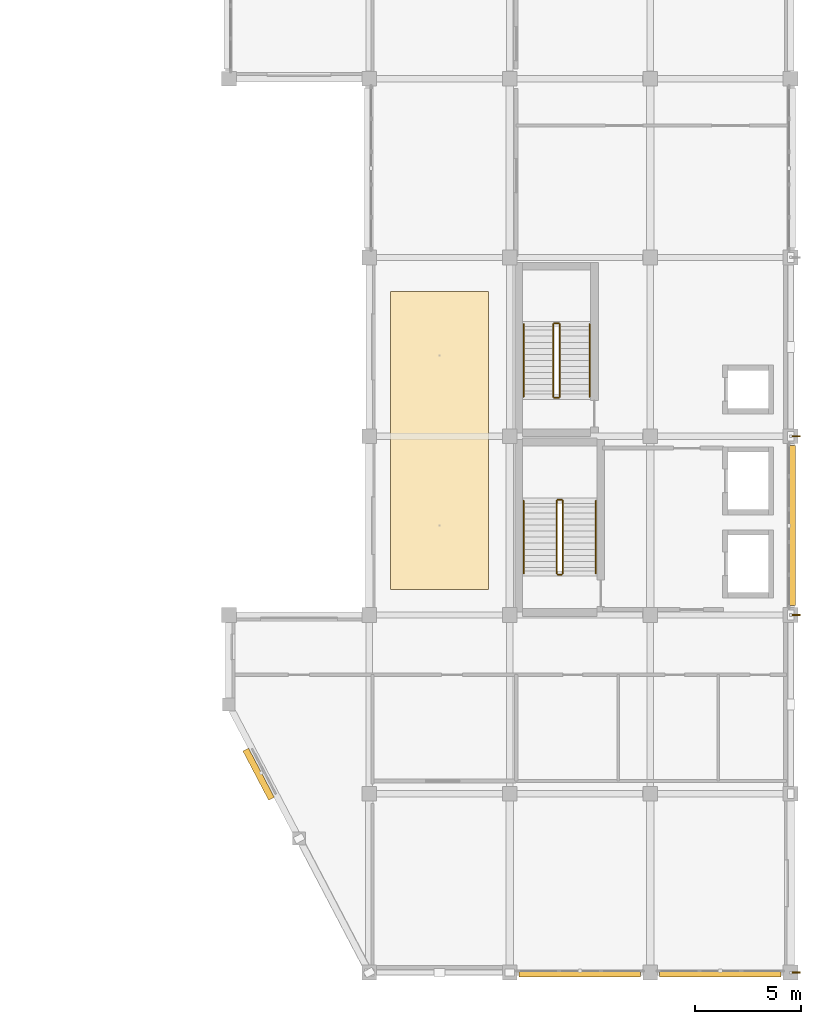
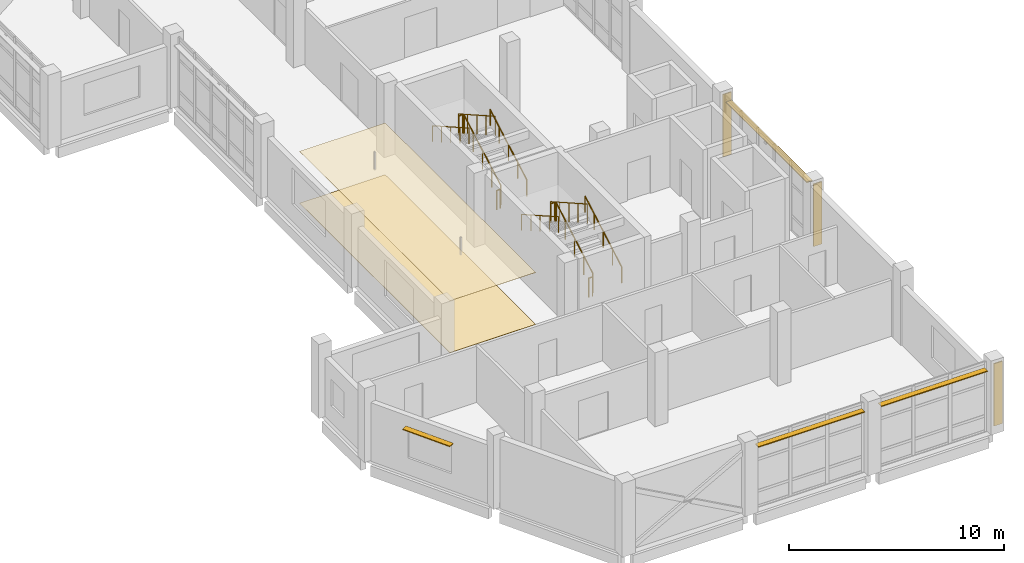
# One storey, part 75 of 78: 12 railings, 7 shading devices, 2 coverings.
"""IFC4 building model written with IfcOpenShell, lengths in metres."""

import ifcopenshell
import ifcopenshell.guid

model = None  # the IFC model being written
_history = None  # IfcOwnerHistory: only IFC2X3 demands one
_inside = {}  # id of a spatial element -> (the spatial element, [elements in it])
_under = {}  # id of a project, library or spatial element -> (it, [spatial elements below it])
_declared = {}  # id of a project -> (the project, [libraries it declares])
_typed = {}  # id of a type object -> (the type object, [elements of that type])
_made_of = {}  # id of a material, layer set ... -> (it, [elements and type objects made of it])


def new_model(schema):
    """Start an empty IFC model of exactly this schema.

    Asked for "IFC4X3", IfcOpenShell would pick the latest addendum, in which some entities
    have other attributes; the version numbers below select the first issue.
    IFC2X3 requires an IfcOwnerHistory on every rooted entity: one is made here for all.
    """
    global model, _history
    if schema == "IFC4X3":
        model = ifcopenshell.file(schema_version=(4, 3, 0, 0))
    else:
        model = ifcopenshell.file(schema=schema)
    _inside.clear()
    _under.clear()
    _declared.clear()
    _typed.clear()
    _made_of.clear()
    _history = None
    if model.schema == "IFC2X3":
        org = make("IfcOrganization", Name="unknown")
        user = make(
            "IfcPersonAndOrganization",
            ThePerson=make("IfcPerson", FamilyName="unknown"),
            TheOrganization=org,
        )
        app = make(
            "IfcApplication",
            ApplicationDeveloper=org,
            Version="unknown",
            ApplicationFullName="unknown",
            ApplicationIdentifier="unknown",
        )
        _history = make(
            "IfcOwnerHistory",
            OwningUser=user,
            OwningApplication=app,
            ChangeAction="ADDED",
            CreationDate=0,
        )
    return model


def make(cls, **values):
    """One entity of the class cls with the attributes given. An attribute that is None is left unset."""
    return model.create_entity(
        cls, **{name: value for name, value in values.items() if value is not None}
    )


def rooted(cls, **values):
    """An entity with a GlobalId (a new one), such as an element, a storey or a relation."""
    return make(cls, GlobalId=ifcopenshell.guid.new(), OwnerHistory=_history, **values)


def si_unit(unit_type, name, prefix=None):
    """IfcSIUnit, for example si_unit("LENGTHUNIT", "METRE", prefix="MILLI")."""
    return make("IfcSIUnit", UnitType=unit_type, Prefix=prefix, Name=name)


def assignment(units):
    """IfcUnitAssignment: the units of a project."""
    return None if units is None else make("IfcUnitAssignment", Units=units)


def point(xyz):
    """IfcCartesianPoint."""
    return None if xyz is None else make("IfcCartesianPoint", Coordinates=xyz)


def direction(xyz):
    """IfcDirection."""
    return None if xyz is None else make("IfcDirection", DirectionRatios=xyz)


def frame(location, z_axis=None, x_axis=None):
    """IfcAxis2Placement3D, a coordinate frame: its origin and axes. An axis left out is left unset."""
    return make(
        "IfcAxis2Placement3D",
        Location=point(location),
        Axis=direction(z_axis),
        RefDirection=direction(x_axis),
    )


def frame_2d(location, x_axis=None):
    """IfcAxis2Placement2D, a coordinate frame in the plane: its origin and x axis."""
    return make(
        "IfcAxis2Placement2D", Location=point(location), RefDirection=direction(x_axis)
    )


def origin():
    """The frame at (0, 0, 0) with its axes left unset."""
    return frame((0.0, 0.0, 0.0))


def origin_2d():
    """The frame at (0, 0) in the plane with its x axis left unset."""
    return frame_2d((0.0, 0.0))


def place(relative_to, where):
    """IfcLocalPlacement: puts the frame where relative to a parent placement (None: the world)."""
    return make(
        "IfcLocalPlacement", PlacementRelTo=relative_to, RelativePlacement=where
    )


def context(
    kind, dimensions, precision=None, world=None, true_north=None, identifier=None
):
    """IfcGeometricRepresentationContext, for example the 3D "Model" context."""
    return make(
        "IfcGeometricRepresentationContext",
        ContextIdentifier=identifier,
        ContextType=kind,
        CoordinateSpaceDimension=dimensions,
        Precision=precision,
        WorldCoordinateSystem=world,
        TrueNorth=true_north,
    )


def subcontext(parent, identifier, kind, view, scale=None):
    """IfcGeometricRepresentationSubContext, for example "Body" below "Model"."""
    return make(
        "IfcGeometricRepresentationSubContext",
        ContextIdentifier=identifier,
        ContextType=kind,
        ParentContext=parent,
        TargetScale=scale,
        TargetView=view,
    )


def project(units=None, contexts=None):
    """IfcProject with its units and contexts."""
    return rooted(
        "IfcProject",
        Name="project",
        RepresentationContexts=contexts,
        UnitsInContext=assignment(units),
    )


def spatial(cls, under=None, at=None, **own):
    """A site, building, storey or space (cls), placed at a placement, below another one or the project."""
    s = rooted(cls, ObjectPlacement=at, **own)
    if under is not None:
        _under.setdefault(under.id(), (under, []))[1].append(s)
    return s


def polyline(points):
    """IfcPolyline through the points."""
    return make("IfcPolyline", Points=[point(p) for p in points])


def profile(cls, at=None, kind="AREA", **sizes):
    """A parametric profile (cls). Its sizes go by their IFC names, for example OverallWidth=200.0."""
    return make(cls, ProfileType=kind, Position=at, **sizes)


def rectangle(**sizes):
    """IfcRectangleProfileDef."""
    return profile("IfcRectangleProfileDef", **sizes)


def circle(**sizes):
    """IfcCircleProfileDef."""
    return profile("IfcCircleProfileDef", **sizes)


def outline(outer, holes=None, kind="AREA"):
    """IfcArbitraryClosedProfileDef: a profile drawn as a closed curve; with holes, ...WithVoids."""
    if holes is None:
        return make("IfcArbitraryClosedProfileDef", ProfileType=kind, OuterCurve=outer)
    return make(
        "IfcArbitraryProfileDefWithVoids",
        ProfileType=kind,
        OuterCurve=outer,
        InnerCurves=holes,
    )


def extrude(swept, where, along, depth):
    """IfcExtrudedAreaSolid: the profile swept, set in the frame where, extruded along a direction by depth."""
    return make(
        "IfcExtrudedAreaSolid",
        SweptArea=swept,
        Position=where,
        ExtrudedDirection=direction(along),
        Depth=depth,
    )


def shape(context_of_items, identifier, shape_type, items):
    """IfcShapeRepresentation: the items that make up one representation, for example the "Body"."""
    return make(
        "IfcShapeRepresentation",
        ContextOfItems=context_of_items,
        RepresentationIdentifier=identifier,
        RepresentationType=shape_type,
        Items=items,
    )


def material(Name=None, Category=None):
    """IfcMaterial."""
    return make("IfcMaterial", Name=Name, Category=Category)


def layer(
    of_material, thickness, ventilated=None, Name=None, Category=None, Priority=None
):
    """IfcMaterialLayer: one layer of a wall or slab, of a material (None: an air gap)."""
    return make(
        "IfcMaterialLayer",
        Material=of_material,
        LayerThickness=thickness,
        IsVentilated=ventilated,
        Name=Name,
        Category=Category,
        Priority=Priority,
    )


def layer_set(layers, Name=None):
    """IfcMaterialLayerSet."""
    return make("IfcMaterialLayerSet", MaterialLayers=layers, LayerSetName=Name)


def made_of(thing, what):
    """Note that an element or type object is made of a material, layer set ...; save() writes the relation."""
    if what is not None:
        _made_of.setdefault(what.id(), (what, []))[1].append(thing)
    return thing


def type_object(cls, material=None, **own):
    """A type object (cls), such as IfcWallType, which elements share."""
    return made_of(rooted(cls, **own), material)


def element(
    cls,
    number,
    at=None,
    inside=None,
    cuts=None,
    type_object=None,
    material=None,
    context=None,
    identifier="Body",
    shape_type=None,
    held_by="IfcProductDefinitionShape",
    body=None,
    shapes=None,
    **own,
):
    """One element of the class cls, such as IfcWall. Its Tag is "e" and its number.

    at: its placement. inside: the storey or other place that contains it. cuts: it is an
    opening in that element (IfcRelVoidsElement). A single representation is given by context,
    identifier, shape_type and body (its items); several are given by shapes. held_by: the class
    of the entity that holds the representations. save() writes the other relations.
    """
    e = rooted(cls, Tag="e%d" % number, ObjectPlacement=at, **own)
    if body is not None:
        shapes = [shape(context, identifier, shape_type, body)]
    if shapes is not None:
        e.Representation = make(held_by, Representations=shapes)
    if inside is not None:
        _inside.setdefault(inside.id(), (inside, []))[1].append(e)
    if cuts is not None:
        rooted(
            "IfcRelVoidsElement", RelatingBuildingElement=cuts, RelatedOpeningElement=e
        )
    if type_object is not None:
        _typed.setdefault(type_object.id(), (type_object, []))[1].append(e)
    return made_of(e, material)


def aggregate(whole, parts):
    """IfcRelAggregates: a whole, such as a stair, and the parts it consists of."""
    return rooted("IfcRelAggregates", RelatingObject=whole, RelatedObjects=parts)


def save(model, path):
    """Write the relations noted so far, then the file.

    IfcRelAggregates (storeys below a building ...), IfcRelContainedInSpatialStructure (elements
    in a storey), IfcRelDefinesByType, IfcRelAssociatesMaterial and IfcRelDeclares: one each for
    every whole, place, type object, material and project.
    """
    for whole, parts in _under.values():
        aggregate(whole, parts)
    for where, things in _inside.values():
        rooted(
            "IfcRelContainedInSpatialStructure",
            RelatedElements=things,
            RelatingStructure=where,
        )
    for kind, things in _typed.values():
        rooted("IfcRelDefinesByType", RelatedObjects=things, RelatingType=kind)
    for what, things in _made_of.values():
        rooted("IfcRelAssociatesMaterial", RelatedObjects=things, RelatingMaterial=what)
    for by, libraries in _declared.values():
        rooted("IfcRelDeclares", RelatingContext=by, RelatedDefinitions=libraries)
    model.write(path)


model = new_model("IFC4")

# Units and contexts
model_context = context("Model", 3, precision=1e-05, world=origin(), true_north=direction((0.0, 1.0)))
body_context = subcontext(model_context, "Body", "Model", "MODEL_VIEW")
ifc_project = project(units=[si_unit("LENGTHUNIT", "METRE"), si_unit("AREAUNIT", "SQUARE_METRE"), si_unit("VOLUMEUNIT", "CUBIC_METRE"), si_unit("PLANEANGLEUNIT", "RADIAN"), si_unit("MASSUNIT", "GRAM", prefix="KILO")], contexts=[model_context])

# Site, building, storey
site_placement = place(None, origin())
site = spatial("IfcSite", under=ifc_project, at=site_placement, CompositionType="ELEMENT")
building_placement = place(site_placement, origin())
building = spatial("IfcBuilding", under=site, at=building_placement, Name="Qaldarim Faculty of Natural and Applied Sciences", CompositionType="ELEMENT")
storey_placement = place(building_placement, frame((0.0, 0.0, 18.60009765625)))
storey = spatial("IfcBuildingStorey", under=building, at=storey_placement, Name="L04", CompositionType="ELEMENT", Elevation=18.60009765625)

# Covering
ifc_material_1 = material(Name="Acoustic mineral fibre")
ifc_layer_1 = layer(ifc_material_1, 0.02001953125)
ifc_layer_set_1 = layer_set([ifc_layer_1], Name="Acoustic mineral fibre")
covering_type_1 = type_object("IfcCoveringType", Name="AcousticMineralCeiling-20", PredefinedType="CEILING", material=ifc_layer_set_1)
covering_1_placement = place(storey_placement, frame((0.0, 0.0, 2.949951171875)))
element("IfcCovering", 1, at=covering_1_placement, inside=storey, type_object=covering_type_1, Name="Acoustic corridor ceiling L04", PredefinedType="CEILING", context=body_context, shape_type="SweptSolid", body=[
    extrude(outline(polyline([(159.39990234375, 18.0), (164.0, 18.0), (164.0, 32.0), (159.39990234375, 32.0), (159.39990234375, 18.0)])), origin(), (0.0, 0.0, 1.0), 0.02001953125),
])

# Railings
ifc_material_2 = material(Name="Architectural stainless steel 316", Category="steel")
railing_type_1 = type_object("IfcRailingType", Name="GuardBalustrade-1100", PredefinedType="BALUSTRADE", material=ifc_material_2)
railing_1_placement = place(storey_placement, frame((167.5, 18.75, 0.159912109375)))
element("IfcRailing", 2, at=railing_1_placement, inside=storey, type_object=railing_type_1, Name="ST-A1 L04 stair well guard 1", PredefinedType="BALUSTRADE", context=body_context, shape_type="SweptSolid", body=[
    extrude(circle(Radius=0.02392578125, at=origin_2d()), frame((0.0, 0.0, 1.076171875), z_axis=(0.0, 0.869805479697, 0.493394798806), x_axis=(-1.0, 0.0, 0.0)), (0.0, 0.0, 1.0), 3.931884765625),
    extrude(circle(Radius=0.02099609375, at=origin_2d()), origin(), (0.0, 0.0, 1.0), 1.052001953125),
    extrude(circle(Radius=0.02099609375, at=origin_2d()), frame((0.0, 0.85498046875, 0.48486328125)), (0.0, 0.0, 1.0), 1.052001953125),
    extrude(circle(Radius=0.02099609375, at=origin_2d()), frame((0.0, 1.7099609375, 0.969970703125)), (0.0, 0.0, 1.0), 1.052001953125),
    extrude(circle(Radius=0.02099609375, at=origin_2d()), frame((0.0, 2.56494140625, 1.455078125)), (0.0, 0.0, 1.0), 1.052001953125),
    extrude(circle(Radius=0.02099609375, at=origin_2d()), frame((0.0, 3.419921875, 1.93994140625)), (0.0, 0.0, 1.0), 1.052001953125),
])
railing_2_placement = place(storey_placement, frame((167.449951171875, 22.219970703125, 2.099853515625)))
element("IfcRailing", 3, at=railing_2_placement, inside=storey, type_object=railing_type_1, Name="ST-A1 L04 stair well guard 2", PredefinedType="BALUSTRADE", context=body_context, shape_type="SweptSolid", body=[
    extrude(circle(Radius=0.02392578125, at=origin_2d()), frame((0.0, 0.0, 1.076171875), z_axis=(-1.0, 0.0, 0.0), x_axis=(0.0, -1.0, 0.0)), (0.0, 0.0, 1.0), 0.199951171875),
    extrude(circle(Radius=0.02099609375, at=origin_2d()), origin(), (0.0, 0.0, 1.0), 1.052001953125),
    extrude(circle(Radius=0.02099609375, at=origin_2d()), frame((-0.199951171875, 0.0, 0.0)), (0.0, 0.0, 1.0), 1.052001953125),
])
railing_3_placement = place(storey_placement, frame((167.199951171875, 22.169921875, 2.260009765625)))
element("IfcRailing", 4, at=railing_3_placement, inside=storey, type_object=railing_type_1, Name="ST-A1 L04 stair well guard 3", PredefinedType="BALUSTRADE", context=body_context, shape_type="SweptSolid", body=[
    extrude(circle(Radius=0.02392578125, at=origin_2d()), frame((0.0, 0.0, 1.076171875), z_axis=(0.0, -0.869805479697, 0.493394798806), x_axis=(1.0, 0.0, 0.0)), (0.0, 0.0, 1.0), 3.931884765625),
    extrude(circle(Radius=0.02099609375, at=origin_2d()), origin(), (0.0, 0.0, 1.0), 1.052001953125),
    extrude(circle(Radius=0.02099609375, at=origin_2d()), frame((0.0, -0.85498046875, 0.48486328125)), (0.0, 0.0, 1.0), 1.052001953125),
    extrude(circle(Radius=0.02099609375, at=origin_2d()), frame((0.0, -1.7099609375, 0.969970703125)), (0.0, 0.0, 1.0), 1.052001953125),
    extrude(circle(Radius=0.02099609375, at=origin_2d()), frame((0.0, -2.56494140625, 1.455078125)), (0.0, 0.0, 1.0), 1.052001953125),
    extrude(circle(Radius=0.02099609375, at=origin_2d()), frame((0.0, -3.419921875, 1.93994140625)), (0.0, 0.0, 1.0), 1.052001953125),
])
railing_4_placement = place(storey_placement, frame((167.449951171875, 18.699951171875, 0.0)))
element("IfcRailing", 5, at=railing_4_placement, inside=storey, type_object=railing_type_1, Name="ST-A1 L04 stair well guard 4", PredefinedType="BALUSTRADE", context=body_context, shape_type="SweptSolid", body=[
    extrude(circle(Radius=0.02392578125, at=origin_2d()), frame((0.0, 0.0, 1.076171875), z_axis=(-1.0, 0.0, 0.0), x_axis=(0.0, -1.0, 0.0)), (0.0, 0.0, 1.0), 0.199951171875),
    extrude(circle(Radius=0.02099609375, at=origin_2d()), origin(), (0.0, 0.0, 1.0), 1.052001953125),
    extrude(circle(Radius=0.02099609375, at=origin_2d()), frame((-0.199951171875, 0.0, 0.0)), (0.0, 0.0, 1.0), 1.052001953125),
])
railing_5_placement = place(storey_placement, frame((167.35009765625, 27.050048828125, 0.159912109375)))
element("IfcRailing", 6, at=railing_5_placement, inside=storey, type_object=railing_type_1, Name="ST-A2 L04 stair well guard 1", PredefinedType="BALUSTRADE", context=body_context, shape_type="SweptSolid", body=[
    extrude(circle(Radius=0.02392578125, at=origin_2d()), frame((0.0, 0.0, 1.076171875), z_axis=(0.0, 0.869805479697, 0.493394798806), x_axis=(-1.0, 0.0, 0.0)), (0.0, 0.0, 1.0), 3.931884765625),
    extrude(circle(Radius=0.02099609375, at=origin_2d()), origin(), (0.0, 0.0, 1.0), 1.052001953125),
    extrude(circle(Radius=0.02099609375, at=origin_2d()), frame((0.0, 0.85498046875, 0.48486328125)), (0.0, 0.0, 1.0), 1.052001953125),
    extrude(circle(Radius=0.02099609375, at=origin_2d()), frame((0.0, 1.7099609375, 0.969970703125)), (0.0, 0.0, 1.0), 1.052001953125),
    extrude(circle(Radius=0.02099609375, at=origin_2d()), frame((0.0, 2.56494140625, 1.455078125)), (0.0, 0.0, 1.0), 1.052001953125),
    extrude(circle(Radius=0.02099609375, at=origin_2d()), frame((0.0, 3.419921875, 1.93994140625)), (0.0, 0.0, 1.0), 1.052001953125),
])
railing_6_placement = place(storey_placement, frame((167.300048828125, 30.52001953125, 2.099853515625)))
element("IfcRailing", 7, at=railing_6_placement, inside=storey, type_object=railing_type_1, Name="ST-A2 L04 stair well guard 2", PredefinedType="BALUSTRADE", context=body_context, shape_type="SweptSolid", body=[
    extrude(circle(Radius=0.02392578125, at=origin_2d()), frame((0.0, 0.0, 1.076171875), z_axis=(-1.0, 0.0, 0.0), x_axis=(0.0, -1.0, 0.0)), (0.0, 0.0, 1.0), 0.199951171875),
    extrude(circle(Radius=0.02099609375, at=origin_2d()), origin(), (0.0, 0.0, 1.0), 1.052001953125),
    extrude(circle(Radius=0.02099609375, at=origin_2d()), frame((-0.199951171875, 0.0, 0.0)), (0.0, 0.0, 1.0), 1.052001953125),
])
railing_7_placement = place(storey_placement, frame((167.050048828125, 30.469970703125, 2.260009765625)))
element("IfcRailing", 8, at=railing_7_placement, inside=storey, type_object=railing_type_1, Name="ST-A2 L04 stair well guard 3", PredefinedType="BALUSTRADE", context=body_context, shape_type="SweptSolid", body=[
    extrude(circle(Radius=0.02392578125, at=origin_2d()), frame((0.0, 0.0, 1.076171875), z_axis=(0.0, -0.869805479697, 0.493394798806), x_axis=(1.0, 0.0, 0.0)), (0.0, 0.0, 1.0), 3.931884765625),
    extrude(circle(Radius=0.02099609375, at=origin_2d()), origin(), (0.0, 0.0, 1.0), 1.052001953125),
    extrude(circle(Radius=0.02099609375, at=origin_2d()), frame((0.0, -0.85498046875, 0.48486328125)), (0.0, 0.0, 1.0), 1.052001953125),
    extrude(circle(Radius=0.02099609375, at=origin_2d()), frame((0.0, -1.7099609375, 0.969970703125)), (0.0, 0.0, 1.0), 1.052001953125),
    extrude(circle(Radius=0.02099609375, at=origin_2d()), frame((0.0, -2.56494140625, 1.455078125)), (0.0, 0.0, 1.0), 1.052001953125),
    extrude(circle(Radius=0.02099609375, at=origin_2d()), frame((0.0, -3.419921875, 1.93994140625)), (0.0, 0.0, 1.0), 1.052001953125),
])
railing_8_placement = place(storey_placement, frame((167.300048828125, 27.0, 0.0)))
element("IfcRailing", 9, at=railing_8_placement, inside=storey, type_object=railing_type_1, Name="ST-A2 L04 stair well guard 4", PredefinedType="BALUSTRADE", context=body_context, shape_type="SweptSolid", body=[
    extrude(circle(Radius=0.02392578125, at=origin_2d()), frame((0.0, 0.0, 1.076171875), z_axis=(-1.0, 0.0, 0.0), x_axis=(0.0, -1.0, 0.0)), (0.0, 0.0, 1.0), 0.199951171875),
    extrude(circle(Radius=0.02099609375, at=origin_2d()), origin(), (0.0, 0.0, 1.0), 1.052001953125),
    extrude(circle(Radius=0.02099609375, at=origin_2d()), frame((-0.199951171875, 0.0, 0.0)), (0.0, 0.0, 1.0), 1.052001953125),
])

# Shading devices
ifc_material_3 = material(Name="Champagne anodised aluminium AW-6063", Category="aluminium")
ifc_layer_2 = layer(ifc_material_3, 0.050048828125)
ifc_layer_set_2 = layer_set([ifc_layer_2], Name="Champagne anodised aluminium AW-6063")
shading_device_type_1 = type_object("IfcShadingDeviceType", Name="SolarLouvre-ALU300x50", PredefinedType="JALOUSIE", material=ifc_layer_set_2)
for number, where, z_axis, x_axis, name in (
    (10, (168.300048828125, -0.070068359375, 3.56494140625), (0.0, 0.0, 1.0), (1.0, 0.0, 0.0), "Horizontal solar louvre L04 S X26Y01"),
    (11, (174.89990234375, -0.070068359375, 3.56494140625), (0.0, 0.0, 1.0), (1.0, 0.0, 0.0), "Horizontal solar louvre L04 S X27Y01"),
):
    element("IfcShadingDevice", number, at=place(storey_placement, frame(where, z_axis=z_axis, x_axis=x_axis)), inside=storey, type_object=shading_device_type_1, Name=name, PredefinedType="JALOUSIE", context=body_context, shape_type="SweptSolid", body=[
        extrude(rectangle(XDim=5.7099609375, YDim=0.300048828125, at=origin_2d()), origin(), (0.0, 0.0, 1.0), 0.050048828125),
    ])
shading_device_1_placement = place(storey_placement, frame((178.27001953125, 21.0, 3.56494140625), z_axis=(0.0, 0.0, 1.0), x_axis=(0.0, 1.0, 0.0)))
element("IfcShadingDevice", 12, at=shading_device_1_placement, inside=storey, type_object=shading_device_type_1, Name="Horizontal solar louvre L04 E X27Y03", PredefinedType="JALOUSIE", context=body_context, shape_type="SweptSolid", body=[
    extrude(rectangle(XDim=7.510009765625, YDim=0.300048828125, at=origin_2d()), origin(), (0.0, 0.0, 1.0), 0.050048828125),
])
shading_device_2_placement = place(storey_placement, frame((153.199951171875, 9.320068359375, 2.6748046875), z_axis=(0.0, 0.0, 1.0), x_axis=(0.46447113214, -0.885588260654, 0.0)))
element("IfcShadingDevice", 13, at=shading_device_2_placement, inside=storey, type_object=shading_device_type_1, Name="Oblique facade horizontal solar louvre SHD-OBL-SW-L04-1", PredefinedType="JALOUSIE", context=body_context, shape_type="SweptSolid", body=[
    extrude(rectangle(XDim=2.60009765625, YDim=0.300048828125, at=origin_2d()), origin(), (0.0, 0.0, 1.0), 0.050048828125),
])

# Railings
railing_type_2 = type_object("IfcRailingType", Name="StairHandrail-920", PredefinedType="HANDRAIL", material=ifc_material_2)
railing_9_placement = place(storey_placement, frame((169.050048828125, 18.75, 0.159912109375)))
element("IfcRailing", 14, at=railing_9_placement, inside=storey, type_object=railing_type_2, Name="ST-A1 L04 stair handrail 1", PredefinedType="HANDRAIL", context=body_context, shape_type="SweptSolid", body=[
    extrude(circle(Radius=0.02392578125, at=origin_2d()), frame((0.0, 0.0, 0.89599609375), z_axis=(0.0, 0.869805479697, 0.493394798806), x_axis=(-1.0, 0.0, 0.0)), (0.0, 0.0, 1.0), 3.931884765625),
    extrude(circle(Radius=0.02099609375, at=origin_2d()), origin(), (0.0, 0.0, 1.0), 0.871826171875),
    extrude(circle(Radius=0.02099609375, at=origin_2d()), frame((0.0, 0.85498046875, 0.48486328125)), (0.0, 0.0, 1.0), 0.871826171875),
    extrude(circle(Radius=0.02099609375, at=origin_2d()), frame((0.0, 1.7099609375, 0.969970703125)), (0.0, 0.0, 1.0), 0.871826171875),
    extrude(circle(Radius=0.02099609375, at=origin_2d()), frame((0.0, 2.56494140625, 1.455078125)), (0.0, 0.0, 1.0), 0.871826171875),
    extrude(circle(Radius=0.02099609375, at=origin_2d()), frame((0.0, 3.419921875, 1.93994140625)), (0.0, 0.0, 1.0), 0.871826171875),
])
railing_10_placement = place(storey_placement, frame((165.64990234375, 22.169921875, 2.260009765625)))
element("IfcRailing", 15, at=railing_10_placement, inside=storey, type_object=railing_type_2, Name="ST-A1 L04 stair handrail 2", PredefinedType="HANDRAIL", context=body_context, shape_type="SweptSolid", body=[
    extrude(circle(Radius=0.02392578125, at=origin_2d()), frame((0.0, 0.0, 0.89599609375), z_axis=(0.0, -0.869805479697, 0.493394798806), x_axis=(1.0, 0.0, 0.0)), (0.0, 0.0, 1.0), 3.931884765625),
    extrude(circle(Radius=0.02099609375, at=origin_2d()), origin(), (0.0, 0.0, 1.0), 0.871826171875),
    extrude(circle(Radius=0.02099609375, at=origin_2d()), frame((0.0, -0.85498046875, 0.48486328125)), (0.0, 0.0, 1.0), 0.871826171875),
    extrude(circle(Radius=0.02099609375, at=origin_2d()), frame((0.0, -1.7099609375, 0.969970703125)), (0.0, 0.0, 1.0), 0.871826171875),
    extrude(circle(Radius=0.02099609375, at=origin_2d()), frame((0.0, -2.56494140625, 1.455078125)), (0.0, 0.0, 1.0), 0.871826171875),
    extrude(circle(Radius=0.02099609375, at=origin_2d()), frame((0.0, -3.419921875, 1.93994140625)), (0.0, 0.0, 1.0), 0.871826171875),
])
railing_11_placement = place(storey_placement, frame((168.75, 27.050048828125, 0.159912109375)))
element("IfcRailing", 16, at=railing_11_placement, inside=storey, type_object=railing_type_2, Name="ST-A2 L04 stair handrail 1", PredefinedType="HANDRAIL", context=body_context, shape_type="SweptSolid", body=[
    extrude(circle(Radius=0.02392578125, at=origin_2d()), frame((0.0, 0.0, 0.89599609375), z_axis=(0.0, 0.869805479697, 0.493394798806), x_axis=(-1.0, 0.0, 0.0)), (0.0, 0.0, 1.0), 3.931884765625),
    extrude(circle(Radius=0.02099609375, at=origin_2d()), origin(), (0.0, 0.0, 1.0), 0.871826171875),
    extrude(circle(Radius=0.02099609375, at=origin_2d()), frame((0.0, 0.85498046875, 0.48486328125)), (0.0, 0.0, 1.0), 0.871826171875),
    extrude(circle(Radius=0.02099609375, at=origin_2d()), frame((0.0, 1.7099609375, 0.969970703125)), (0.0, 0.0, 1.0), 0.871826171875),
    extrude(circle(Radius=0.02099609375, at=origin_2d()), frame((0.0, 2.56494140625, 1.455078125)), (0.0, 0.0, 1.0), 0.871826171875),
    extrude(circle(Radius=0.02099609375, at=origin_2d()), frame((0.0, 3.419921875, 1.93994140625)), (0.0, 0.0, 1.0), 0.871826171875),
])
railing_12_placement = place(storey_placement, frame((165.64990234375, 30.469970703125, 2.260009765625)))
element("IfcRailing", 17, at=railing_12_placement, inside=storey, type_object=railing_type_2, Name="ST-A2 L04 stair handrail 2", PredefinedType="HANDRAIL", context=body_context, shape_type="SweptSolid", body=[
    extrude(circle(Radius=0.02392578125, at=origin_2d()), frame((0.0, 0.0, 0.89599609375), z_axis=(0.0, -0.869805479697, 0.493394798806), x_axis=(1.0, 0.0, 0.0)), (0.0, 0.0, 1.0), 3.931884765625),
    extrude(circle(Radius=0.02099609375, at=origin_2d()), origin(), (0.0, 0.0, 1.0), 0.871826171875),
    extrude(circle(Radius=0.02099609375, at=origin_2d()), frame((0.0, -0.85498046875, 0.48486328125)), (0.0, 0.0, 1.0), 0.871826171875),
    extrude(circle(Radius=0.02099609375, at=origin_2d()), frame((0.0, -1.7099609375, 0.969970703125)), (0.0, 0.0, 1.0), 0.871826171875),
    extrude(circle(Radius=0.02099609375, at=origin_2d()), frame((0.0, -2.56494140625, 1.455078125)), (0.0, 0.0, 1.0), 0.871826171875),
    extrude(circle(Radius=0.02099609375, at=origin_2d()), frame((0.0, -3.419921875, 1.93994140625)), (0.0, 0.0, 1.0), 0.871826171875),
])

# Covering
ifc_material_4 = material(Name="Terrazzo stone finish", Category="masonry")
ifc_layer_3 = layer(ifc_material_4, 0.02490234375)
ifc_layer_set_3 = layer_set([ifc_layer_3], Name="Terrazzo stone finish")
covering_type_2 = type_object("IfcCoveringType", Name="TerrazzoFlooring-25", PredefinedType="FLOORING", material=ifc_layer_set_3)
covering_2_placement = place(storey_placement, origin())
element("IfcCovering", 18, at=covering_2_placement, inside=storey, type_object=covering_type_2, Name="Polished terrazzo corridor flooring L04", PredefinedType="FLOORING", context=body_context, shape_type="SweptSolid", body=[
    extrude(outline(polyline([(159.39990234375, 18.0), (164.0, 18.0), (164.0, 32.0), (159.39990234375, 32.0), (159.39990234375, 18.0)])), origin(), (0.0, 0.0, 1.0), 0.02490234375),
])

# Shading devices
ifc_layer_4 = layer(ifc_material_3, 0.06005859375)
ifc_layer_set_4 = layer_set([ifc_layer_4], Name="Champagne anodised aluminium AW-6063")
shading_device_type_2 = type_object("IfcShadingDeviceType", Name="VerticalSunFin-ALU450x60", PredefinedType="SHUTTER", material=ifc_layer_set_4)
for number, where, z_axis, x_axis, name in (
    (19, (178.425048828125, 0.0, 0.199951171875), (0.0, 0.0, 1.0), (1.0, 0.0, 0.0), "Tower solar fin FIN-V5E-L04-Y01"),
    (20, (178.425048828125, 16.800048828125, 0.199951171875), (0.0, 0.0, 1.0), (1.0, 0.0, 0.0), "Tower solar fin FIN-V5E-L04-Y03"),
    (21, (178.425048828125, 25.199951171875, 0.199951171875), (0.0, 0.0, 1.0), (1.0, 0.0, 0.0), "Tower solar fin FIN-V5E-L04-Y04"),
):
    element("IfcShadingDevice", number, at=place(storey_placement, frame(where, z_axis=z_axis, x_axis=x_axis)), inside=storey, type_object=shading_device_type_2, Name=name, PredefinedType="SHUTTER", context=body_context, shape_type="SweptSolid", body=[
        extrude(rectangle(XDim=0.449951171875, YDim=0.06005859375, at=origin_2d()), origin(), (0.0, 0.0, 1.0), 3.5400390625),
    ])

save(model, "model.ifc")
